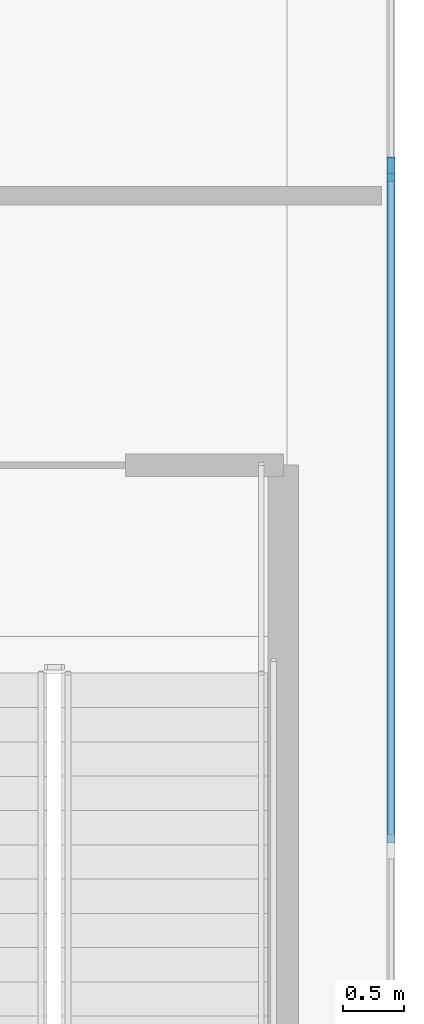
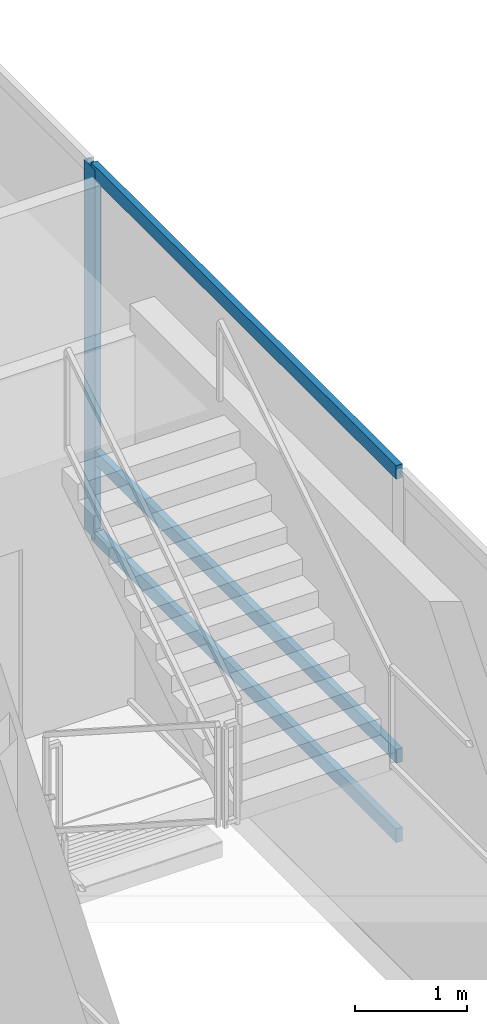
# One storey, part 7 of 19: 4 members, 1 element without a shape of its own.
"""IFC4 building model written with IfcOpenShell, lengths in metres."""

from ifc_helpers import new_model, si_unit, direction, frame, origin, origin_2d, place, context, subcontext, project, spatial, rectangle, extrude, source, transform, mapped, material, layer, layer_set, material_profile, profile_set, type_object, element, aggregate, save


model = new_model("IFC4")

# Units and contexts
model_context = context("Model", 3, precision=1e-05, world=origin(), true_north=direction((0.0, 1.0)))
body_context = subcontext(model_context, "Body", "Model", "MODEL_VIEW")
ifc_project = project(units=[si_unit("LENGTHUNIT", "METRE"), si_unit("AREAUNIT", "SQUARE_METRE"), si_unit("VOLUMEUNIT", "CUBIC_METRE"), si_unit("PLANEANGLEUNIT", "RADIAN"), si_unit("MASSUNIT", "GRAM", prefix="KILO")], contexts=[model_context])

# Site, building, storey
site_placement = place(None, origin())
site = spatial("IfcSite", under=ifc_project, at=site_placement, CompositionType="ELEMENT")
building_placement = place(site_placement, origin())
building = spatial("IfcBuilding", under=site, at=building_placement, Name="Brelvock Crest Care Tower", CompositionType="ELEMENT")
storey_placement = place(building_placement, frame((0.0, 0.0, 14.0400390625)))
storey = spatial("IfcBuildingStorey", under=building, at=storey_placement, Name="L03", CompositionType="ELEMENT", Elevation=14.0400390625)

# Curtain wall, members
ifc_material_1 = material(Name="Dark Glass Double Glazed Low-E", Category="glass")
ifc_layer = layer(ifc_material_1, 0.179931640625, Name="CWS-1")
ifc_layer_set = layer_set([ifc_layer], Name="Dark Glass Double Glazed Low-E")
curtain_wall_type = type_object("IfcCurtainWallType", Name="CWS-1", PredefinedType="NOTDEFINED", material=ifc_layer_set)
curtain_wall_placement = place(storey_placement, origin())
curtain_wall = element("IfcCurtainWall", 1, at=curtain_wall_placement, inside=storey, type_object=curtain_wall_type, Name="L03 Curtain Wall E14", PredefinedType="NOTDEFINED")
ifc_material_2 = material(Name="Aluminium 6063-T6", Category="aluminium")
ifc_material_profile_1 = material_profile(ifc_material_2, rectangle(XDim=0.06494140625, YDim=0.199951171875, at=origin_2d()), Name="ALU65x200")
ifc_profile_set_1 = profile_set([ifc_material_profile_1], Name="Aluminium 6063-T6")
member_type_1 = type_object("IfcMemberType", Name="CWM-1", PredefinedType="MULLION", material=ifc_profile_set_1)
shared_shape_1 = source(origin(), body_context, "Body", "SweptSolid", [
    extrude(rectangle(XDim=0.06494140625, YDim=0.199951171875, at=origin_2d()), origin(), (0.0, 0.0, 1.0), 4.0400390625),
])
member_1_placement = place(storey_placement, frame((65.0, 33.2666015625, 0.0), z_axis=(0.0, 0.0, 1.0), x_axis=(1.0, 0.0, 0.0)))
member_1 = element("IfcMember", 2, at=member_1_placement, type_object=member_type_1, Name="CW-1 mullion 5", PredefinedType="MULLION", context=body_context, shape_type="MappedRepresentation", body=[
    mapped(shared_shape_1, transform((0.0, 0.0, 0.0), x_axis=(1.0, 0.0, 0.0), y_axis=(0.0, 1.0, 0.0), z_axis=(0.0, 0.0, 1.0), scale=1.0)),
])
ifc_material_profile_2 = material_profile(ifc_material_2, rectangle(XDim=0.06494140625, YDim=0.14990234375, at=origin_2d()), Name="ALU65x150")
ifc_profile_set_2 = profile_set([ifc_material_profile_2], Name="Aluminium 6063-T6")
member_type_2 = type_object("IfcMemberType", Name="CWT-1", PredefinedType="USERDEFINED", material=ifc_profile_set_2)
shared_shape_2 = source(origin(), body_context, "Body", "SweptSolid", [
    extrude(rectangle(XDim=0.06494140625, YDim=0.14990234375, at=origin_2d()), origin(), (0.0, 0.0, 1.0), 5.46826171875),
])
member_2_placement = place(storey_placement, frame((65.0, 33.234130859375, 0.032470703125), z_axis=(0.0, -1.0, 0.0), x_axis=(1.0, 0.0, 0.0)))
member_2 = element("IfcMember", 3, at=member_2_placement, type_object=member_type_2, Name="CW-1 transom 5.1", ObjectType="TRANSOM", PredefinedType="USERDEFINED", context=body_context, shape_type="MappedRepresentation", body=[
    mapped(shared_shape_2, transform((0.0, 0.0, 0.0), x_axis=(1.0, 0.0, 0.0), y_axis=(0.0, 1.0, 0.0), z_axis=(0.0, 0.0, 1.0), scale=1.0)),
])
member_3_placement = place(storey_placement, frame((65.0, 33.234130859375, 0.89990234375), z_axis=(0.0, -1.0, 0.0), x_axis=(1.0, 0.0, 0.0)))
member_3 = element("IfcMember", 4, at=member_3_placement, type_object=member_type_2, Name="CW-1 transom 5.2", ObjectType="TRANSOM", PredefinedType="USERDEFINED", context=body_context, shape_type="MappedRepresentation", body=[
    mapped(shared_shape_2, transform((0.0, 0.0, 0.0), x_axis=(1.0, 0.0, 0.0), y_axis=(0.0, 1.0, 0.0), z_axis=(0.0, 0.0, 1.0), scale=1.0)),
])
member_4_placement = place(storey_placement, frame((65.0, 33.234130859375, 4.007568359375), z_axis=(0.0, -1.0, 0.0), x_axis=(1.0, 0.0, 0.0)))
member_4 = element("IfcMember", 5, at=member_4_placement, type_object=member_type_2, Name="CW-1 transom 5.3", ObjectType="TRANSOM", PredefinedType="USERDEFINED", context=body_context, shape_type="MappedRepresentation", body=[
    mapped(shared_shape_2, transform((0.0, 0.0, 0.0), x_axis=(1.0, 0.0, 0.0), y_axis=(0.0, 1.0, 0.0), z_axis=(0.0, 0.0, 1.0), scale=1.0)),
])
aggregate(curtain_wall, [member_1, member_2, member_3, member_4])

save(model, "model.ifc")
